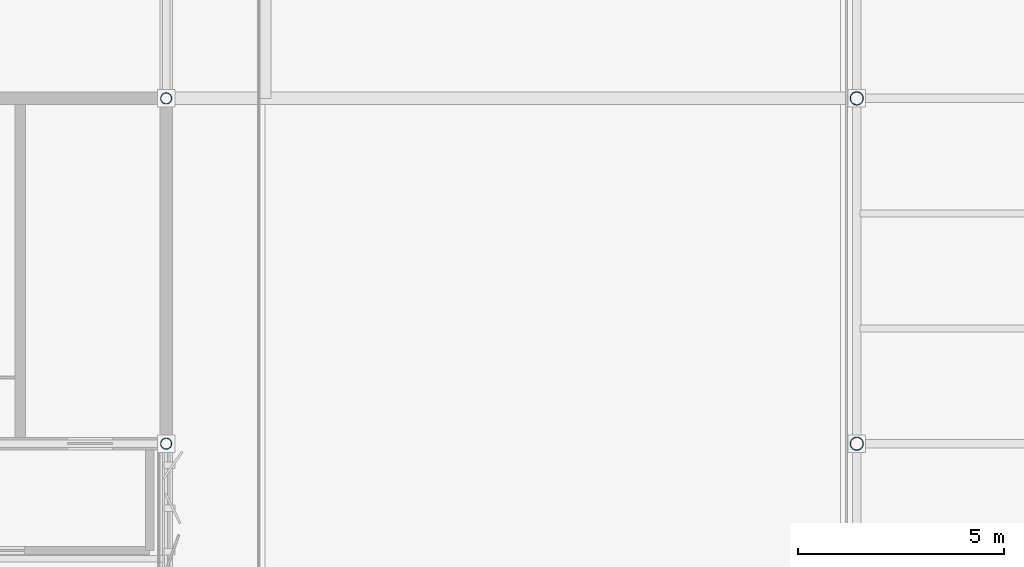
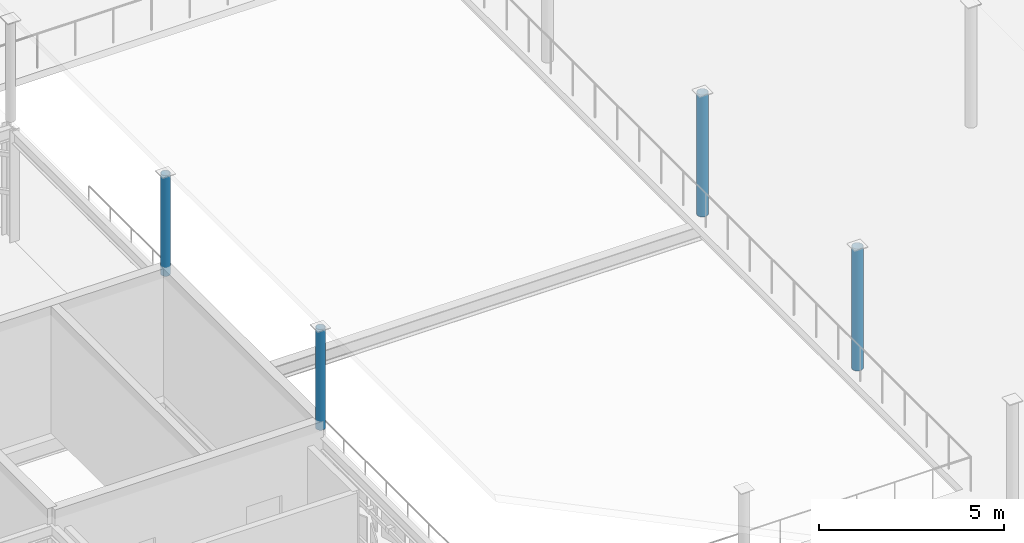
# One storey, part 9 of 65: 4 columns.
"""IFC4 building model written with IfcOpenShell, lengths in metres."""

from ifc_helpers import new_model, si_unit, direction, frame, origin, origin_2d, place, context, subcontext, project, spatial, hollow_circle, extrude, material, material_profile, profile_set, type_object, element, save


model = new_model("IFC4")

# Units and contexts
model_context = context("Model", 3, precision=1e-05, world=origin(), true_north=direction((0.0, 1.0)))
body_context = subcontext(model_context, "Body", "Model", "MODEL_VIEW")
ifc_project = project(units=[si_unit("LENGTHUNIT", "METRE"), si_unit("AREAUNIT", "SQUARE_METRE"), si_unit("VOLUMEUNIT", "CUBIC_METRE"), si_unit("PLANEANGLEUNIT", "RADIAN"), si_unit("MASSUNIT", "GRAM", prefix="KILO")], contexts=[model_context])

# Site, building, storey
site_placement = place(None, origin())
site = spatial("IfcSite", under=ifc_project, at=site_placement, CompositionType="ELEMENT")
building_placement = place(site_placement, origin())
building = spatial("IfcBuilding", under=site, at=building_placement, Name="Qalvenar Corner Mobility Hub", CompositionType="ELEMENT")
storey_placement = place(building_placement, frame((0.0, 0.0, 17.39990234375)))
storey = spatial("IfcBuildingStorey", under=building, at=storey_placement, Name="L04", CompositionType="ELEMENT", Elevation=17.39990234375)

# Columns
ifc_material = material(Name="Steel S355", Category="steel")
ifc_material_profile_1 = material_profile(ifc_material, hollow_circle(Radius=0.136474609375, WallThickness=0.0087890625, at=origin_2d()), Name="CHS273x8.8")
ifc_profile_set_1 = profile_set([ifc_material_profile_1], Name="Steel S355")
column_type_1 = type_object("IfcColumnType", Name="COL-CHS273", PredefinedType="COLUMN", material=ifc_profile_set_1)
for number, where, z_axis, x_axis, name in (
    (1, (142.800048828125, 84.0, 3.900146484375), (0.0, 0.0, 1.0), (1.0, 0.0, 0.0), "Rotunda Roof Ridge Post V2R-84"),
    (2, (142.800048828125, 92.39990234375, 3.900146484375), (0.0, 0.0, 1.0), (1.0, 0.0, 0.0), "Rotunda Roof Ridge Post V2R-92"),
):
    element("IfcColumn", number, at=place(storey_placement, frame(where, z_axis=z_axis, x_axis=x_axis)), inside=storey, type_object=column_type_1, Name=name, PredefinedType="COLUMN", context=body_context, shape_type="SweptSolid", body=[
        extrude(hollow_circle(Radius=0.136474609375, WallThickness=0.0087890625, at=origin_2d()), origin(), (0.0, 0.0, 1.0), 3.329833984375),
    ])
ifc_material_profile_2 = material_profile(ifc_material, hollow_circle(Radius=0.161865234375, WallThickness=0.010009765625, at=origin_2d()), Name="CHS323.9x10")
ifc_profile_set_2 = profile_set([ifc_material_profile_2], Name="Steel S355")
column_type_2 = type_object("IfcColumnType", Name="COL-CHS323", PredefinedType="COLUMN", material=ifc_profile_set_2)
for number, where, z_axis, x_axis, name in (
    (3, (159.60009765625, 84.0, 0.0), (0.0, 0.0, 1.0), (1.0, 0.0, 0.0), "Steel Column L04-G20-10"),
    (4, (159.60009765625, 92.39990234375, 0.0), (0.0, 0.0, 1.0), (1.0, 0.0, 0.0), "Steel Column L04-G20-11"),
):
    element("IfcColumn", number, at=place(storey_placement, frame(where, z_axis=z_axis, x_axis=x_axis)), inside=storey, type_object=column_type_2, Name=name, PredefinedType="COLUMN", context=body_context, shape_type="SweptSolid", body=[
        extrude(hollow_circle(Radius=0.161865234375, WallThickness=0.010009765625, at=origin_2d()), origin(), (0.0, 0.0, 1.0), 4.030029296875),
    ])

save(model, "model.ifc")
